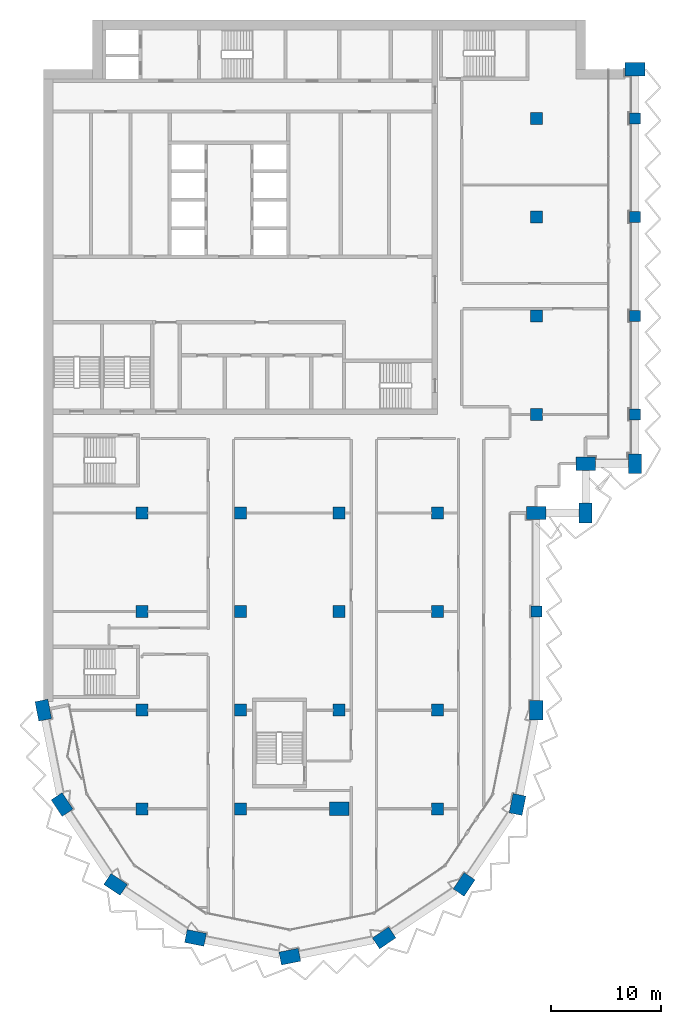
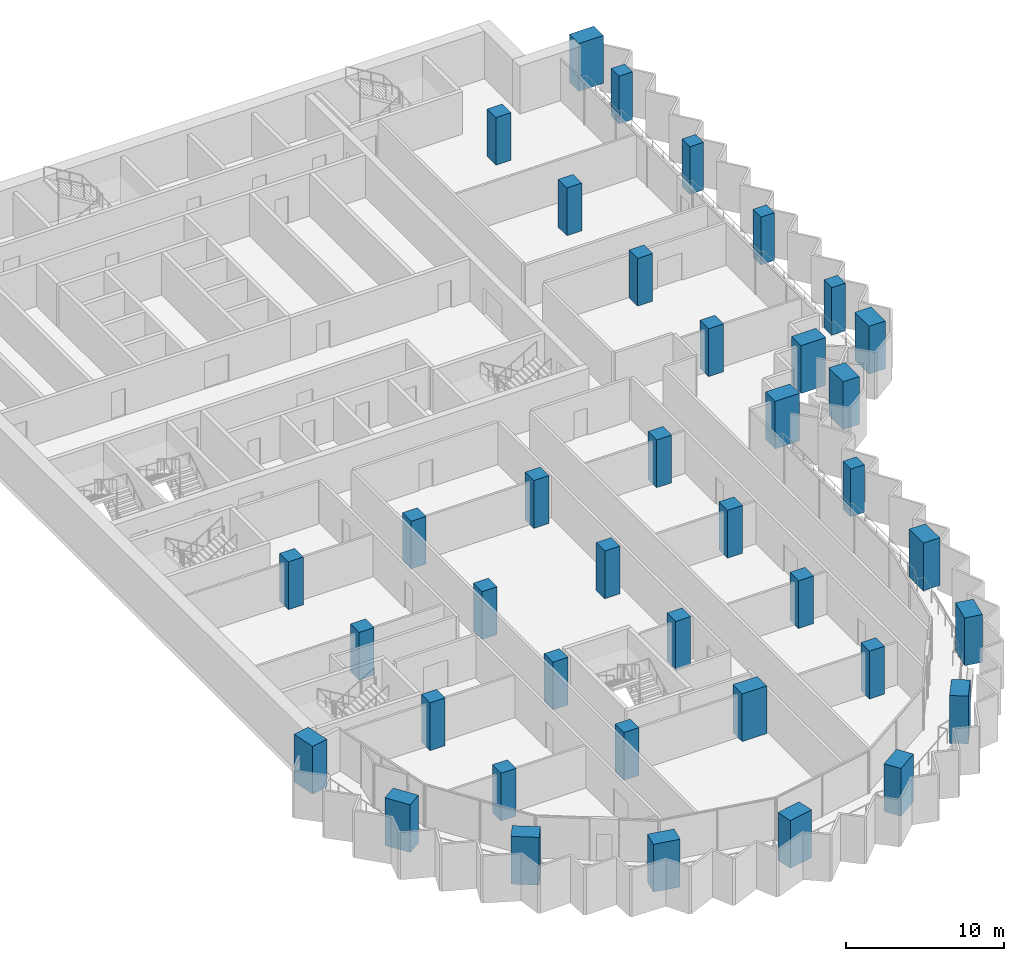
# One storey, part 1 of 19: 39 columns.
"""IFC4 building model written with IfcOpenShell, lengths in metres."""

from ifc_helpers import new_model, si_unit, direction, frame, origin, origin_2d, place, context, subcontext, project, spatial, rectangle, extrude, material, material_profile, profile_set, type_object, element, save


model = new_model("IFC4")

# Units and contexts
model_context = context("Model", 3, precision=1e-05, world=origin(), true_north=direction((0.0, 1.0)))
body_context = subcontext(model_context, "Body", "Model", "MODEL_VIEW")
ifc_project = project(units=[si_unit("LENGTHUNIT", "METRE"), si_unit("AREAUNIT", "SQUARE_METRE"), si_unit("VOLUMEUNIT", "CUBIC_METRE"), si_unit("PLANEANGLEUNIT", "RADIAN"), si_unit("MASSUNIT", "GRAM", prefix="KILO")], contexts=[model_context])

# Site, building, storey
site_placement = place(None, origin())
site = spatial("IfcSite", under=ifc_project, at=site_placement, CompositionType="ELEMENT")
building_placement = place(site_placement, origin())
building = spatial("IfcBuilding", under=site, at=building_placement, Name="Hunhe Ridgeline Campus", CompositionType="ELEMENT")
storey_placement = place(building_placement, frame((0.0, 0.0, 219.800048828125)))
storey = spatial("IfcBuildingStorey", under=building, at=storey_placement, Name="L56", CompositionType="ELEMENT", Elevation=219.800048828125)

# Columns
ifc_material = material(Name="Concrete C60", Category="concrete")
ifc_material_profile_1 = material_profile(ifc_material, rectangle(XDim=1.800048828125, YDim=1.199951171875, at=origin_2d()))
ifc_profile_set_1 = profile_set([ifc_material_profile_1], Name="Concrete C60")
column_type_1 = type_object("IfcColumnType", Name="Megacolumn 1800x1200 Concrete C60", PredefinedType="COLUMN", material=ifc_profile_set_1)
for number, where, z_axis, x_axis, name in (
    (1, (22.5, 13.5, 0.0), (0.0, 0.0, 1.0), (0.980785280403, 0.195090322016, 0.0), "Column C11 R6 L56"),
    (2, (13.8896484375, 15.212646484375, 0.0), (0.0, 0.0, 1.0), (-0.980785280403, 0.195090322016, 0.0), "Column C11 R7 L56"),
    (3, (31.1103515625, 15.212646484375, 0.0), (0.0, 0.0, 1.0), (0.831469612303, 0.55557023302, 0.0), "Column C11 R8 L56"),
    (4, (6.590087890625, 20.090087890625, 0.0), (0.0, 0.0, 1.0), (-0.831469612303, 0.55557023302, 0.0), "Column C11 R11 L56"),
    (5, (38.409912109375, 20.090087890625, 0.0), (0.0, 0.0, 1.0), (0.55557023302, 0.831469612303, 0.0), "Column C11 R12 L56"),
    (6, (1.712646484375, 27.3896484375, 0.0), (0.0, 0.0, 1.0), (-0.55557023302, 0.831469612303, 0.0), "Column C11 R16 L56"),
    (7, (43.287353515625, 27.3896484375, 0.0), (0.0, 0.0, 1.0), (0.195090322016, 0.980785280403, 0.0), "Column C11 R17 L56"),
    (8, (0.0, 36.0, 0.0), (0.0, 0.0, 1.0), (-0.195090322016, 0.980785280403, 0.0), "Column C11 E1 L56"),
    (9, (45.0, 36.0, 0.0), (0.0, 0.0, 1.0), (0.0, 1.0, 0.0), "Column C11 E6 L56"),
    (10, (45.0, 54.0, 0.0), (0.0, 0.0, 1.0), (1.0, 0.0, 0.0), "Column C11 G6 L56"),
    (11, (49.5, 54.0, 0.0), (0.0, 0.0, 1.0), (0.0, 1.0, 0.0), "Column C11 R29 L56"),
    (12, (49.5, 58.5, 0.0), (0.0, 0.0, 1.0), (1.0, 0.0, 0.0), "Column C11 R33 L56"),
    (13, (54.0, 58.5, 0.0), (0.0, 0.0, 1.0), (0.0, 1.0, 0.0), "Column C11 R34 L56"),
    (14, (54.0, 94.5, 0.0), (0.0, 0.0, 1.0), (1.0, 0.0, 0.0), "Column C11 R41 L56"),
    (15, (27.0, 27.0, 0.0), (0.0, 0.0, 1.0), (1.0, 0.0, 0.0), "Column C11 D4 L56"),
):
    element("IfcColumn", number, at=place(storey_placement, frame(where, z_axis=z_axis, x_axis=x_axis)), inside=storey, type_object=column_type_1, Name=name, PredefinedType="COLUMN", context=body_context, shape_type="SweptSolid", body=[
        extrude(rectangle(XDim=1.800048828125, YDim=1.199951171875, at=origin_2d()), origin(), (0.0, 0.0, 1.0), 3.699951171875),
    ])
ifc_material_profile_2 = material_profile(ifc_material, rectangle(XDim=1.0, YDim=1.0, at=origin_2d()))
ifc_profile_set_2 = profile_set([ifc_material_profile_2], Name="Concrete C60")
column_type_2 = type_object("IfcColumnType", Name="RC column 1000x1000 Concrete C60", PredefinedType="COLUMN", material=ifc_profile_set_2)
for number, where, z_axis, x_axis, name in (
    (16, (45.0, 45.0, 0.0), (0.0, 0.0, 1.0), (1.0, 0.0, 0.0), "Column C12 F6 L56"),
    (17, (54.0, 63.0, 0.0), (0.0, 0.0, 1.0), (1.0, 0.0, 0.0), "Column C12 H7 L56"),
    (18, (54.0, 72.0, 0.0), (0.0, 0.0, 1.0), (1.0, 0.0, 0.0), "Column C12 I7 L56"),
    (19, (54.0, 81.0, 0.0), (0.0, 0.0, 1.0), (1.0, 0.0, 0.0), "Column C12 J7 L56"),
    (20, (54.0, 90.0, 0.0), (0.0, 0.0, 1.0), (1.0, 0.0, 0.0), "Column C12 K7 L56"),
):
    element("IfcColumn", number, at=place(storey_placement, frame(where, z_axis=z_axis, x_axis=x_axis)), inside=storey, type_object=column_type_2, Name=name, PredefinedType="COLUMN", context=body_context, shape_type="SweptSolid", body=[
        extrude(rectangle(XDim=1.0, YDim=1.0, at=origin_2d()), origin(), (0.0, 0.0, 1.0), 3.699951171875),
    ])
ifc_material_profile_3 = material_profile(ifc_material, rectangle(XDim=1.10009765625, YDim=1.10009765625, at=origin_2d()))
ifc_profile_set_3 = profile_set([ifc_material_profile_3], Name="Concrete C60")
column_type_3 = type_object("IfcColumnType", Name="RC column 1100x1100 Concrete C60", PredefinedType="COLUMN", material=ifc_profile_set_3)
for number, where, z_axis, x_axis, name in (
    (21, (9.0, 27.0, 0.0), (0.0, 0.0, 1.0), (1.0, 0.0, 0.0), "Column C13 D2 L56"),
    (22, (9.0, 36.0, 0.0), (0.0, 0.0, 1.0), (1.0, 0.0, 0.0), "Column C13 E2 L56"),
    (23, (9.0, 45.0, 0.0), (0.0, 0.0, 1.0), (1.0, 0.0, 0.0), "Column C13 F2 L56"),
    (24, (9.0, 54.0, 0.0), (0.0, 0.0, 1.0), (1.0, 0.0, 0.0), "Column C13 G2 L56"),
    (25, (18.0, 27.0, 0.0), (0.0, 0.0, 1.0), (1.0, 0.0, 0.0), "Column C13 D3 L56"),
    (26, (18.0, 36.0, 0.0), (0.0, 0.0, 1.0), (1.0, 0.0, 0.0), "Column C13 E3 L56"),
    (27, (18.0, 45.0, 0.0), (0.0, 0.0, 1.0), (1.0, 0.0, 0.0), "Column C13 F3 L56"),
    (28, (18.0, 54.0, 0.0), (0.0, 0.0, 1.0), (1.0, 0.0, 0.0), "Column C13 G3 L56"),
    (29, (27.0, 36.0, 0.0), (0.0, 0.0, 1.0), (1.0, 0.0, 0.0), "Column C13 E4 L56"),
    (30, (27.0, 45.0, 0.0), (0.0, 0.0, 1.0), (1.0, 0.0, 0.0), "Column C13 F4 L56"),
    (31, (27.0, 54.0, 0.0), (0.0, 0.0, 1.0), (1.0, 0.0, 0.0), "Column C13 G4 L56"),
    (32, (36.0, 27.0, 0.0), (0.0, 0.0, 1.0), (1.0, 0.0, 0.0), "Column C13 D5 L56"),
    (33, (36.0, 36.0, 0.0), (0.0, 0.0, 1.0), (1.0, 0.0, 0.0), "Column C13 E5 L56"),
    (34, (36.0, 45.0, 0.0), (0.0, 0.0, 1.0), (1.0, 0.0, 0.0), "Column C13 F5 L56"),
    (35, (36.0, 54.0, 0.0), (0.0, 0.0, 1.0), (1.0, 0.0, 0.0), "Column C13 G5 L56"),
    (36, (45.0, 63.0, 0.0), (0.0, 0.0, 1.0), (1.0, 0.0, 0.0), "Column C13 H6 L56"),
    (37, (45.0, 72.0, 0.0), (0.0, 0.0, 1.0), (1.0, 0.0, 0.0), "Column C13 I6 L56"),
    (38, (45.0, 81.0, 0.0), (0.0, 0.0, 1.0), (1.0, 0.0, 0.0), "Column C13 J6 L56"),
    (39, (45.0, 90.0, 0.0), (0.0, 0.0, 1.0), (1.0, 0.0, 0.0), "Column C13 K6 L56"),
):
    element("IfcColumn", number, at=place(storey_placement, frame(where, z_axis=z_axis, x_axis=x_axis)), inside=storey, type_object=column_type_3, Name=name, PredefinedType="COLUMN", context=body_context, shape_type="SweptSolid", body=[
        extrude(rectangle(XDim=1.10009765625, YDim=1.10009765625, at=origin_2d()), origin(), (0.0, 0.0, 1.0), 3.699951171875),
    ])

save(model, "model.ifc")
